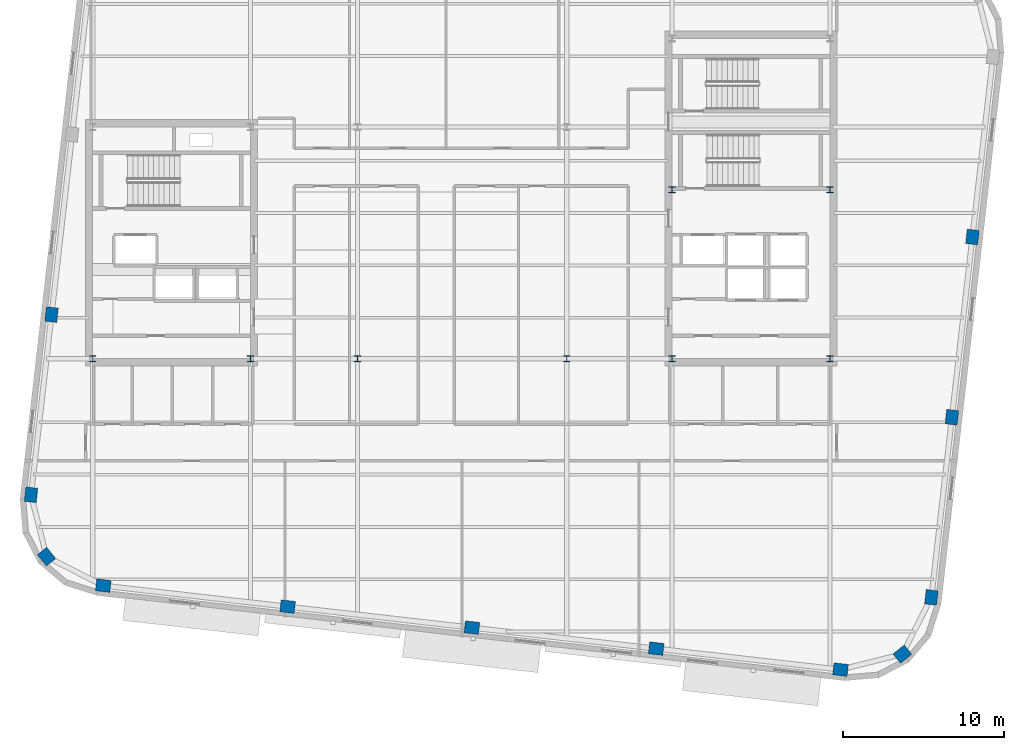
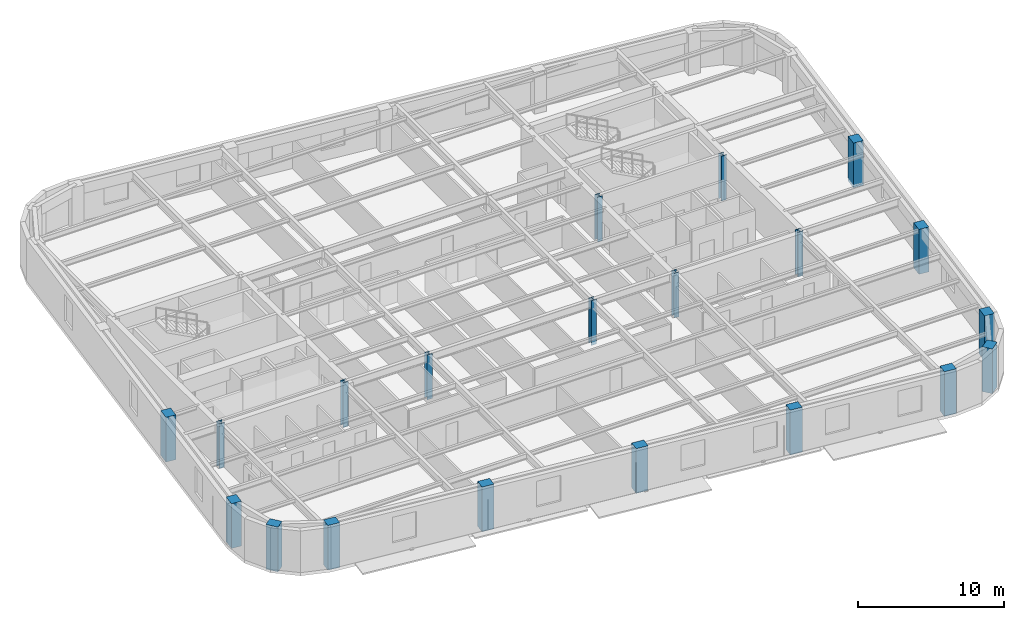
# One storey, part 1 of 13: 20 columns.
"""IFC4 building model written with IfcOpenShell, lengths in metres."""

from ifc_helpers import new_model, si_unit, direction, frame, origin, origin_2d, place, context, subcontext, project, spatial, rectangle, i_section, extrude, material, material_profile, profile_set, type_object, element, save


model = new_model("IFC4")

# Units and contexts
model_context = context("Model", 3, precision=1e-05, world=origin(), true_north=direction((0.0, 1.0)))
body_context = subcontext(model_context, "Body", "Model", "MODEL_VIEW")
ifc_project = project(units=[si_unit("LENGTHUNIT", "METRE"), si_unit("AREAUNIT", "SQUARE_METRE"), si_unit("VOLUMEUNIT", "CUBIC_METRE"), si_unit("PLANEANGLEUNIT", "RADIAN"), si_unit("MASSUNIT", "GRAM", prefix="KILO")], contexts=[model_context])

# Site, building, storey
site_placement = place(None, origin())
site = spatial("IfcSite", under=ifc_project, at=site_placement, CompositionType="ELEMENT")
building_placement = place(site_placement, origin())
building = spatial("IfcBuilding", under=site, at=building_placement, Name="Kolvaren Arena Tower", CompositionType="ELEMENT")
storey_placement = place(building_placement, frame((0.0, 0.0, 228.449951171875)))
storey = spatial("IfcBuildingStorey", under=building, at=storey_placement, Name="L55", CompositionType="ELEMENT", Elevation=228.449951171875)

# Columns
ifc_material_1 = material(Name="Precast concrete C55/67", Category="concrete")
ifc_material_profile_1 = material_profile(ifc_material_1, rectangle(XDim=0.89990234375, YDim=0.75, at=origin_2d()), Name="RC-900x750")
ifc_profile_set_1 = profile_set([ifc_material_profile_1], Name="Precast concrete C55/67")
column_type_1 = type_object("IfcColumnType", Name="EXCOL-Z4", PredefinedType="COLUMN", material=ifc_profile_set_1)
for number, where, z_axis, x_axis, name in (
    (1, (15.207763671875, 5.350830078125, -0.27001953125), (0.0, 0.0, 1.0), (0.993571855677, -0.113203213768, 0.0), "Exoskeleton Perimeter Column 01 (L55)"),
    (2, (26.65869140625, 4.046142578125, -0.27001953125), (0.0, 0.0, 1.0), (0.993571855677, -0.113203213768, 0.0), "Exoskeleton Perimeter Column 02 (L55)"),
    (3, (38.109619140625, 2.741455078125, -0.27001953125), (0.0, 0.0, 1.0), (0.993571855677, -0.113203213768, 0.0), "Exoskeleton Perimeter Column 03 (L55)"),
    (4, (49.560302734375, 1.436767578125, -0.27001953125), (0.0, 0.0, 1.0), (0.993571855677, -0.113203213768, 0.0), "Exoskeleton Perimeter Column 04 (L55)"),
    (5, (61.011474609375, 0.132080078125, -0.27001953125), (0.0, 0.0, 1.0), (0.993571855677, -0.113203213768, 0.0), "Exoskeleton Perimeter Column 05 (L55)"),
    (6, (64.853759765625, 1.094482421875, -0.27001953125), (0.0, 0.0, 1.0), (0.782608156852, 0.622514636638, 0.0), "Exoskeleton Perimeter Column 06 (L55)"),
    (7, (66.656005859375, 4.6220703125, -0.27001953125), (0.0, 0.0, 1.0), (0.113203213768, 0.993571855677, 0.0), "Exoskeleton Perimeter Column 07 (L55)"),
    (8, (67.931396484375, 15.816162109375, -0.27001953125), (0.0, 0.0, 1.0), (0.113203213768, 0.993571855677, 0.0), "Exoskeleton Perimeter Column 08 (L55)"),
    (9, (69.206787109375, 27.010498046875, -0.27001953125), (0.0, 0.0, 1.0), (0.113203213768, 0.993571855677, 0.0), "Exoskeleton Perimeter Column 09 (L55)"),
    (10, (11.9931640625, 22.189453125, -0.27001953125), (0.0, 0.0, 1.0), (0.113203213768, 0.993571855677, 0.0), "Exoskeleton Perimeter Column 20 (L55)"),
    (11, (10.7177734375, 10.995361328125, -0.27001953125), (0.0, 0.0, 1.0), (0.113203213768, 0.993571855677, 0.0), "Exoskeleton Perimeter Column 21 (L55)"),
    (12, (11.680419921875, 7.15283203125, -0.27001953125), (0.0, 0.0, 1.0), (-0.622514636638, 0.782608156852, 0.0), "Exoskeleton Perimeter Column 22 (L55)"),
):
    element("IfcColumn", number, at=place(storey_placement, frame(where, z_axis=z_axis, x_axis=x_axis)), inside=storey, type_object=column_type_1, Name=name, PredefinedType="COLUMN", context=body_context, shape_type="SweptSolid", body=[
        extrude(rectangle(XDim=0.89990234375, YDim=0.75, at=origin_2d()), origin(), (0.0, 0.0, 1.0), 3.75),
    ])
ifc_material_2 = material(Name="Steel ASTM A913 Grade 65", Category="steel")
ifc_material_profile_2 = material_profile(ifc_material_2, i_section(OverallWidth=0.39892578125, OverallDepth=0.39306640625, WebThickness=0.022705078125, FlangeThickness=0.03662109375, FilletRadius=0.02001953125, at=origin_2d()), Name="W360x287")
ifc_profile_set_2 = profile_set([ifc_material_profile_2], Name="Steel ASTM A913 Grade 65")
column_type_2 = type_object("IfcColumnType", Name="SCOL-Z4", PredefinedType="COLUMN", material=ifc_profile_set_2)
for number, where, z_axis, x_axis, name in (
    (13, (14.550048828125, 19.449951171875, -0.27001953125), (0.0, 0.0, 1.0), (1.0, 0.0, 0.0), "Core Boundary Column WC-SW (L55)"),
    (14, (24.35009765625, 19.449951171875, -0.27001953125), (0.0, 0.0, 1.0), (1.0, 0.0, 0.0), "Core Boundary Column WC-SE (L55)"),
    (15, (50.550048828125, 19.449951171875, -0.27001953125), (0.0, 0.0, 1.0), (1.0, 0.0, 0.0), "Core Boundary Column EC-SW (L55)"),
    (16, (60.35009765625, 19.449951171875, -0.27001953125), (0.0, 0.0, 1.0), (1.0, 0.0, 0.0), "Core Boundary Column EC-SE (L55)"),
    (17, (50.550048828125, 29.949951171875, -0.27001953125), (0.0, 0.0, 1.0), (1.0, 0.0, 0.0), "Core Boundary Column EC-MW (L55)"),
    (18, (60.35009765625, 29.949951171875, -0.27001953125), (0.0, 0.0, 1.0), (1.0, 0.0, 0.0), "Core Boundary Column EC-ME (L55)"),
    (19, (31.0, 19.449951171875, -0.27001953125), (0.0, 0.0, 1.0), (1.0, 0.0, 0.0), "Interior Gravity Column TC-SW (L55)"),
    (20, (44.0, 19.449951171875, -0.27001953125), (0.0, 0.0, 1.0), (1.0, 0.0, 0.0), "Interior Gravity Column TC-SE (L55)"),
):
    element("IfcColumn", number, at=place(storey_placement, frame(where, z_axis=z_axis, x_axis=x_axis)), inside=storey, type_object=column_type_2, Name=name, PredefinedType="COLUMN", context=body_context, shape_type="SweptSolid", body=[
        extrude(i_section(OverallWidth=0.39892578125, OverallDepth=0.39306640625, WebThickness=0.022705078125, FlangeThickness=0.03662109375, FilletRadius=0.02001953125, at=origin_2d()), origin(), (0.0, 0.0, 1.0), 3.75),
    ])

save(model, "model.ifc")
